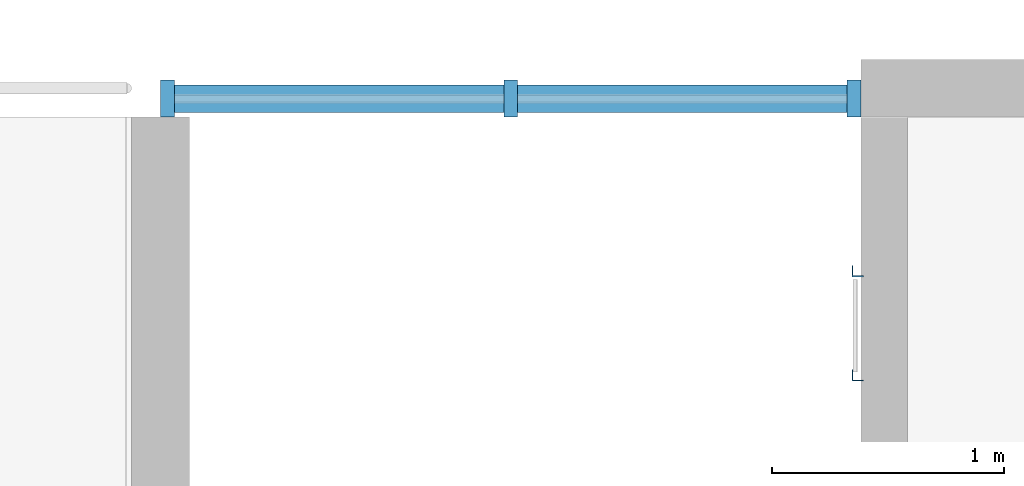
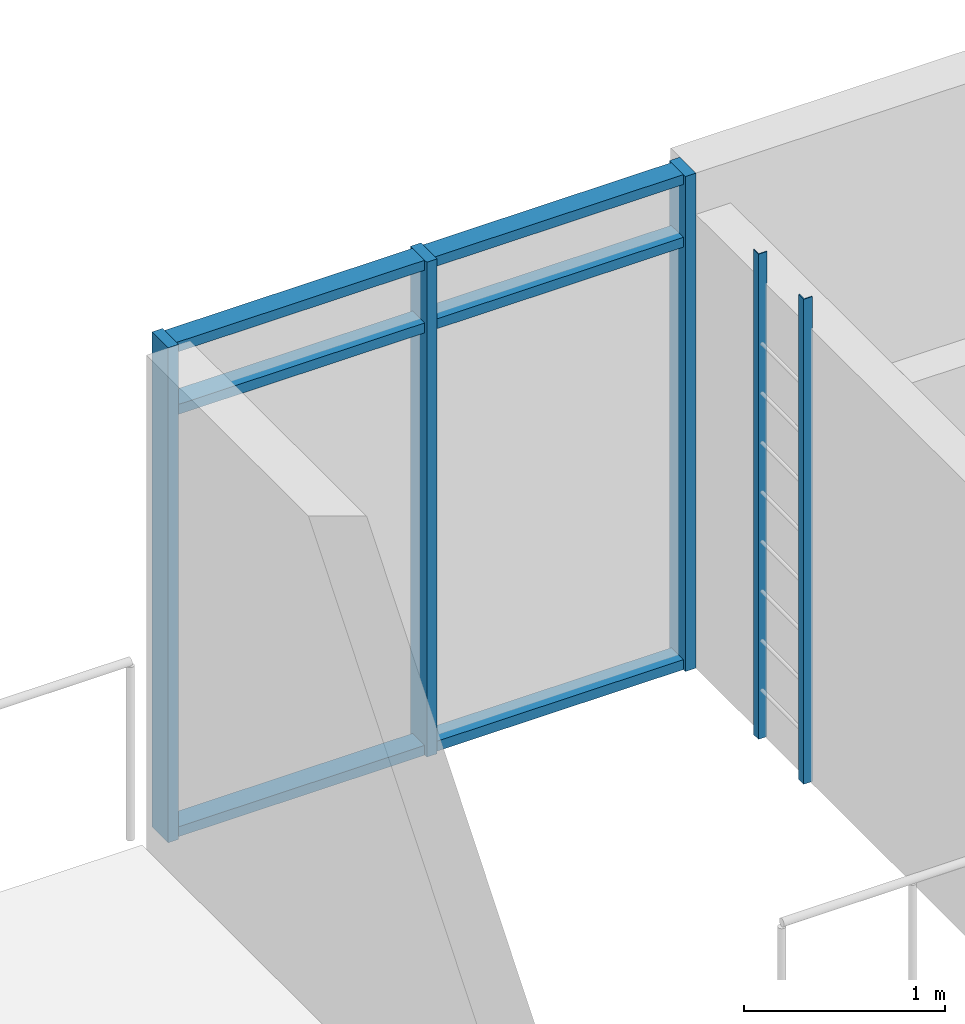
# One storey, part 10 of 33: 11 members, 1 element without a shape of its own.
"""IFC4 building model written with IfcOpenShell, lengths in metres."""

import ifcopenshell
import ifcopenshell.guid

model = None  # the IFC model being written
_history = None  # IfcOwnerHistory: only IFC2X3 demands one
_inside = {}  # id of a spatial element -> (the spatial element, [elements in it])
_under = {}  # id of a project, library or spatial element -> (it, [spatial elements below it])
_declared = {}  # id of a project -> (the project, [libraries it declares])
_typed = {}  # id of a type object -> (the type object, [elements of that type])
_made_of = {}  # id of a material, layer set ... -> (it, [elements and type objects made of it])


def new_model(schema):
    """Start an empty IFC model of exactly this schema.

    Asked for "IFC4X3", IfcOpenShell would pick the latest addendum, in which some entities
    have other attributes; the version numbers below select the first issue.
    IFC2X3 requires an IfcOwnerHistory on every rooted entity: one is made here for all.
    """
    global model, _history
    if schema == "IFC4X3":
        model = ifcopenshell.file(schema_version=(4, 3, 0, 0))
    else:
        model = ifcopenshell.file(schema=schema)
    _inside.clear()
    _under.clear()
    _declared.clear()
    _typed.clear()
    _made_of.clear()
    _history = None
    if model.schema == "IFC2X3":
        org = make("IfcOrganization", Name="unknown")
        user = make(
            "IfcPersonAndOrganization",
            ThePerson=make("IfcPerson", FamilyName="unknown"),
            TheOrganization=org,
        )
        app = make(
            "IfcApplication",
            ApplicationDeveloper=org,
            Version="unknown",
            ApplicationFullName="unknown",
            ApplicationIdentifier="unknown",
        )
        _history = make(
            "IfcOwnerHistory",
            OwningUser=user,
            OwningApplication=app,
            ChangeAction="ADDED",
            CreationDate=0,
        )
    return model


def make(cls, **values):
    """One entity of the class cls with the attributes given. An attribute that is None is left unset."""
    return model.create_entity(
        cls, **{name: value for name, value in values.items() if value is not None}
    )


def rooted(cls, **values):
    """An entity with a GlobalId (a new one), such as an element, a storey or a relation."""
    return make(cls, GlobalId=ifcopenshell.guid.new(), OwnerHistory=_history, **values)


def si_unit(unit_type, name, prefix=None):
    """IfcSIUnit, for example si_unit("LENGTHUNIT", "METRE", prefix="MILLI")."""
    return make("IfcSIUnit", UnitType=unit_type, Prefix=prefix, Name=name)


def assignment(units):
    """IfcUnitAssignment: the units of a project."""
    return None if units is None else make("IfcUnitAssignment", Units=units)


def point(xyz):
    """IfcCartesianPoint."""
    return None if xyz is None else make("IfcCartesianPoint", Coordinates=xyz)


def direction(xyz):
    """IfcDirection."""
    return None if xyz is None else make("IfcDirection", DirectionRatios=xyz)


def frame(location, z_axis=None, x_axis=None):
    """IfcAxis2Placement3D, a coordinate frame: its origin and axes. An axis left out is left unset."""
    return make(
        "IfcAxis2Placement3D",
        Location=point(location),
        Axis=direction(z_axis),
        RefDirection=direction(x_axis),
    )


def frame_2d(location, x_axis=None):
    """IfcAxis2Placement2D, a coordinate frame in the plane: its origin and x axis."""
    return make(
        "IfcAxis2Placement2D", Location=point(location), RefDirection=direction(x_axis)
    )


def origin():
    """The frame at (0, 0, 0) with its axes left unset."""
    return frame((0.0, 0.0, 0.0))


def origin_2d():
    """The frame at (0, 0) in the plane with its x axis left unset."""
    return frame_2d((0.0, 0.0))


def place(relative_to, where):
    """IfcLocalPlacement: puts the frame where relative to a parent placement (None: the world)."""
    return make(
        "IfcLocalPlacement", PlacementRelTo=relative_to, RelativePlacement=where
    )


def context(
    kind, dimensions, precision=None, world=None, true_north=None, identifier=None
):
    """IfcGeometricRepresentationContext, for example the 3D "Model" context."""
    return make(
        "IfcGeometricRepresentationContext",
        ContextIdentifier=identifier,
        ContextType=kind,
        CoordinateSpaceDimension=dimensions,
        Precision=precision,
        WorldCoordinateSystem=world,
        TrueNorth=true_north,
    )


def subcontext(parent, identifier, kind, view, scale=None):
    """IfcGeometricRepresentationSubContext, for example "Body" below "Model"."""
    return make(
        "IfcGeometricRepresentationSubContext",
        ContextIdentifier=identifier,
        ContextType=kind,
        ParentContext=parent,
        TargetScale=scale,
        TargetView=view,
    )


def project(units=None, contexts=None):
    """IfcProject with its units and contexts."""
    return rooted(
        "IfcProject",
        Name="project",
        RepresentationContexts=contexts,
        UnitsInContext=assignment(units),
    )


def spatial(cls, under=None, at=None, **own):
    """A site, building, storey or space (cls), placed at a placement, below another one or the project."""
    s = rooted(cls, ObjectPlacement=at, **own)
    if under is not None:
        _under.setdefault(under.id(), (under, []))[1].append(s)
    return s


def polyline(points):
    """IfcPolyline through the points."""
    return make("IfcPolyline", Points=[point(p) for p in points])


def profile(cls, at=None, kind="AREA", **sizes):
    """A parametric profile (cls). Its sizes go by their IFC names, for example OverallWidth=200.0."""
    return make(cls, ProfileType=kind, Position=at, **sizes)


def rectangle(**sizes):
    """IfcRectangleProfileDef."""
    return profile("IfcRectangleProfileDef", **sizes)


def outline(outer, holes=None, kind="AREA"):
    """IfcArbitraryClosedProfileDef: a profile drawn as a closed curve; with holes, ...WithVoids."""
    if holes is None:
        return make("IfcArbitraryClosedProfileDef", ProfileType=kind, OuterCurve=outer)
    return make(
        "IfcArbitraryProfileDefWithVoids",
        ProfileType=kind,
        OuterCurve=outer,
        InnerCurves=holes,
    )


def extrude(swept, where, along, depth):
    """IfcExtrudedAreaSolid: the profile swept, set in the frame where, extruded along a direction by depth."""
    return make(
        "IfcExtrudedAreaSolid",
        SweptArea=swept,
        Position=where,
        ExtrudedDirection=direction(along),
        Depth=depth,
    )


def shape(context_of_items, identifier, shape_type, items):
    """IfcShapeRepresentation: the items that make up one representation, for example the "Body"."""
    return make(
        "IfcShapeRepresentation",
        ContextOfItems=context_of_items,
        RepresentationIdentifier=identifier,
        RepresentationType=shape_type,
        Items=items,
    )


def material(Name=None, Category=None):
    """IfcMaterial."""
    return make("IfcMaterial", Name=Name, Category=Category)


def material_profile(
    of_material, cross_section, Name=None, Category=None, Priority=None
):
    """IfcMaterialProfile: a cross section and its material."""
    return make(
        "IfcMaterialProfile",
        Name=Name,
        Material=of_material,
        Profile=cross_section,
        Priority=Priority,
        Category=Category,
    )


def profile_set(profiles, Name=None, composite=None):
    """IfcMaterialProfileSet."""
    return make(
        "IfcMaterialProfileSet",
        Name=Name,
        MaterialProfiles=profiles,
        CompositeProfile=composite,
    )


def made_of(thing, what):
    """Note that an element or type object is made of a material, layer set ...; save() writes the relation."""
    if what is not None:
        _made_of.setdefault(what.id(), (what, []))[1].append(thing)
    return thing


def type_object(cls, material=None, **own):
    """A type object (cls), such as IfcWallType, which elements share."""
    return made_of(rooted(cls, **own), material)


def element(
    cls,
    number,
    at=None,
    inside=None,
    cuts=None,
    type_object=None,
    material=None,
    context=None,
    identifier="Body",
    shape_type=None,
    held_by="IfcProductDefinitionShape",
    body=None,
    shapes=None,
    **own,
):
    """One element of the class cls, such as IfcWall. Its Tag is "e" and its number.

    at: its placement. inside: the storey or other place that contains it. cuts: it is an
    opening in that element (IfcRelVoidsElement). A single representation is given by context,
    identifier, shape_type and body (its items); several are given by shapes. held_by: the class
    of the entity that holds the representations. save() writes the other relations.
    """
    e = rooted(cls, Tag="e%d" % number, ObjectPlacement=at, **own)
    if body is not None:
        shapes = [shape(context, identifier, shape_type, body)]
    if shapes is not None:
        e.Representation = make(held_by, Representations=shapes)
    if inside is not None:
        _inside.setdefault(inside.id(), (inside, []))[1].append(e)
    if cuts is not None:
        rooted(
            "IfcRelVoidsElement", RelatingBuildingElement=cuts, RelatedOpeningElement=e
        )
    if type_object is not None:
        _typed.setdefault(type_object.id(), (type_object, []))[1].append(e)
    return made_of(e, material)


def aggregate(whole, parts):
    """IfcRelAggregates: a whole, such as a stair, and the parts it consists of."""
    return rooted("IfcRelAggregates", RelatingObject=whole, RelatedObjects=parts)


def save(model, path):
    """Write the relations noted so far, then the file.

    IfcRelAggregates (storeys below a building ...), IfcRelContainedInSpatialStructure (elements
    in a storey), IfcRelDefinesByType, IfcRelAssociatesMaterial and IfcRelDeclares: one each for
    every whole, place, type object, material and project.
    """
    for whole, parts in _under.values():
        aggregate(whole, parts)
    for where, things in _inside.values():
        rooted(
            "IfcRelContainedInSpatialStructure",
            RelatedElements=things,
            RelatingStructure=where,
        )
    for kind, things in _typed.values():
        rooted("IfcRelDefinesByType", RelatedObjects=things, RelatingType=kind)
    for what, things in _made_of.values():
        rooted("IfcRelAssociatesMaterial", RelatedObjects=things, RelatingMaterial=what)
    for by, libraries in _declared.values():
        rooted("IfcRelDeclares", RelatingContext=by, RelatedDefinitions=libraries)
    model.write(path)


model = new_model("IFC4")

# Units and contexts
model_context = context("Model", 3, precision=1e-05, world=origin(), true_north=direction((0.0, 1.0)))
body_context = subcontext(model_context, "Body", "Model", "MODEL_VIEW")
ifc_project = project(units=[si_unit("LENGTHUNIT", "METRE"), si_unit("AREAUNIT", "SQUARE_METRE"), si_unit("VOLUMEUNIT", "CUBIC_METRE"), si_unit("PLANEANGLEUNIT", "RADIAN"), si_unit("MASSUNIT", "GRAM", prefix="KILO")], contexts=[model_context])

# Site, building, storey
site_placement = place(None, origin())
site = spatial("IfcSite", under=ifc_project, at=site_placement, CompositionType="ELEMENT")
building_placement = place(site_placement, origin())
building = spatial("IfcBuilding", under=site, at=building_placement, Name="Ridgestep Commons", CompositionType="ELEMENT")
storey_placement = place(building_placement, frame((0.0, 0.0, 42.0)))
storey = spatial("IfcBuildingStorey", under=building, at=storey_placement, Name="L14", CompositionType="ELEMENT", Elevation=42.0)

# Members
ifc_material_1 = material(Name="Structural steel S355JR", Category="steel")
ifc_material_profile_1 = material_profile(ifc_material_1, outline(polyline([(-0.014404296875, -0.014404296875), (0.03564453125, -0.014404296875), (0.03564453125, -0.00927734375), (-0.00927734375, -0.00927734375), (-0.00927734375, 0.03564453125), (-0.014404296875, 0.03564453125), (-0.014404296875, -0.014404296875)])), Name="EA 50x50x5")
ifc_profile_set_1 = profile_set([ifc_material_profile_1], Name="Structural steel S355JR")
member_type_1 = type_object("IfcMemberType", Name="Core ladder stile EA 50x50x5", PredefinedType="STRINGER", material=ifc_profile_set_1)
for number, where, z_axis, x_axis, name in (
    (1, (194.199951171875, 21.625, 0.0), (0.0, 0.0, 1.0), (1.0, 0.0, 0.0), "Ladder stile D3C.1"),
    (2, (194.199951171875, 22.074951171875, 0.0), (0.0, 0.0, 1.0), (1.0, 0.0, 0.0), "Ladder stile D3C.2"),
):
    element("IfcMember", number, at=place(storey_placement, frame(where, z_axis=z_axis, x_axis=x_axis)), inside=storey, type_object=member_type_1, Name=name, PredefinedType="STRINGER", context=body_context, shape_type="SweptSolid", body=[
        extrude(outline(polyline([(-0.014404296875, -0.014404296875), (0.03564453125, -0.014404296875), (0.03564453125, -0.00927734375), (-0.00927734375, -0.00927734375), (-0.00927734375, 0.03564453125), (-0.014404296875, 0.03564453125), (-0.014404296875, -0.014404296875)])), origin(), (0.0, 0.0, 1.0), 2.93994140625),
    ])

# Curtain wall, members
ifc_material_2 = material(Name="Aluminium 6063-T6 and glass", Category="aluminium")
curtain_wall_type = type_object("IfcCurtainWallType", Name="Curtain wall stair strip", PredefinedType="NOTDEFINED", material=ifc_material_2)
curtain_wall_placement = place(storey_placement, origin())
curtain_wall = element("IfcCurtainWall", 3, at=curtain_wall_placement, inside=storey, type_object=curtain_wall_type, Name="Curtain wall D3C level 14", PredefinedType="NOTDEFINED")
ifc_material_3 = material(Name="Aluminium 6063-T6", Category="aluminium")
ifc_material_profile_2 = material_profile(ifc_material_3, rectangle(XDim=0.159912109375, YDim=0.06005859375, at=origin_2d()), Name="Mullion 60 x 160")
ifc_profile_set_2 = profile_set([ifc_material_profile_2], Name="Aluminium 6063-T6")
member_type_2 = type_object("IfcMemberType", Name="Mullion 60 x 160", PredefinedType="MULLION", material=ifc_profile_set_2)
member_1_placement = place(storey_placement, frame((191.22998046875, 22.830078125, 0.0), z_axis=(0.0, 0.0, 1.0), x_axis=(0.0, 1.0, 0.0)))
member_1 = element("IfcMember", 4, at=member_1_placement, type_object=member_type_2, Name="CW1 mullion 1", PredefinedType="MULLION", context=body_context, shape_type="SweptSolid", body=[
    extrude(rectangle(XDim=0.159912109375, YDim=0.06005859375, at=origin_2d()), origin(), (0.0, 0.0, 1.0), 3.0),
])
member_2_placement = place(storey_placement, frame((192.71240234375, 22.830078125, 0.0), z_axis=(0.0, 0.0, 1.0), x_axis=(0.0, 1.0, 0.0)))
member_2 = element("IfcMember", 5, at=member_2_placement, type_object=member_type_2, Name="CW1 mullion 2", PredefinedType="MULLION", context=body_context, shape_type="SweptSolid", body=[
    extrude(rectangle(XDim=0.159912109375, YDim=0.06005859375, at=origin_2d()), origin(), (0.0, 0.0, 1.0), 3.0),
])
member_3_placement = place(storey_placement, frame((194.195068359375, 22.830078125, 0.0), z_axis=(0.0, 0.0, 1.0), x_axis=(0.0, 1.0, 0.0)))
member_3 = element("IfcMember", 6, at=member_3_placement, type_object=member_type_2, Name="CW1 mullion 3", PredefinedType="MULLION", context=body_context, shape_type="SweptSolid", body=[
    extrude(rectangle(XDim=0.159912109375, YDim=0.06005859375, at=origin_2d()), origin(), (0.0, 0.0, 1.0), 3.0),
])
ifc_material_4 = material(Name="Aluminium 6063-T6", Category="aluminium")
ifc_material_profile_3 = material_profile(ifc_material_4, rectangle(XDim=0.1201171875, YDim=0.06005859375, at=origin_2d()), Name="Transom 60 x 120")
ifc_profile_set_3 = profile_set([ifc_material_profile_3], Name="Aluminium 6063-T6")
member_type_3 = type_object("IfcMemberType", Name="Transom 60 x 120", PredefinedType="USERDEFINED", material=ifc_profile_set_3)
member_4_placement = place(storey_placement, frame((191.260009765625, 22.830078125, 0.030029296875), z_axis=(1.0, 0.0, 0.0), x_axis=(0.0, 1.0, 0.0)))
member_4 = element("IfcMember", 7, at=member_4_placement, type_object=member_type_3, Name="CW1 transom 1.1", ObjectType="TRANSOM", PredefinedType="USERDEFINED", context=body_context, shape_type="SweptSolid", body=[
    extrude(rectangle(XDim=0.1201171875, YDim=0.06005859375, at=origin_2d()), origin(), (0.0, 0.0, 1.0), 1.422607421875),
])
member_5_placement = place(storey_placement, frame((191.260009765625, 22.830078125, 2.590087890625), z_axis=(1.0, 0.0, 0.0), x_axis=(0.0, 1.0, 0.0)))
member_5 = element("IfcMember", 8, at=member_5_placement, type_object=member_type_3, Name="CW1 transom 1.2", ObjectType="TRANSOM", PredefinedType="USERDEFINED", context=body_context, shape_type="SweptSolid", body=[
    extrude(rectangle(XDim=0.1201171875, YDim=0.06005859375, at=origin_2d()), origin(), (0.0, 0.0, 1.0), 1.422607421875),
])
member_6_placement = place(storey_placement, frame((191.260009765625, 22.830078125, 2.969970703125), z_axis=(1.0, 0.0, 0.0), x_axis=(0.0, 1.0, 0.0)))
member_6 = element("IfcMember", 9, at=member_6_placement, type_object=member_type_3, Name="CW1 transom 1.3", ObjectType="TRANSOM", PredefinedType="USERDEFINED", context=body_context, shape_type="SweptSolid", body=[
    extrude(rectangle(XDim=0.1201171875, YDim=0.06005859375, at=origin_2d()), origin(), (0.0, 0.0, 1.0), 1.422607421875),
])
member_7_placement = place(storey_placement, frame((192.742431640625, 22.830078125, 0.030029296875), z_axis=(1.0, 0.0, 0.0), x_axis=(0.0, 1.0, 0.0)))
member_7 = element("IfcMember", 10, at=member_7_placement, type_object=member_type_3, Name="CW1 transom 2.1", ObjectType="TRANSOM", PredefinedType="USERDEFINED", context=body_context, shape_type="SweptSolid", body=[
    extrude(rectangle(XDim=0.1201171875, YDim=0.06005859375, at=origin_2d()), origin(), (0.0, 0.0, 1.0), 1.422607421875),
])
member_8_placement = place(storey_placement, frame((192.742431640625, 22.830078125, 2.590087890625), z_axis=(1.0, 0.0, 0.0), x_axis=(0.0, 1.0, 0.0)))
member_8 = element("IfcMember", 11, at=member_8_placement, type_object=member_type_3, Name="CW1 transom 2.2", ObjectType="TRANSOM", PredefinedType="USERDEFINED", context=body_context, shape_type="SweptSolid", body=[
    extrude(rectangle(XDim=0.1201171875, YDim=0.06005859375, at=origin_2d()), origin(), (0.0, 0.0, 1.0), 1.422607421875),
])
member_9_placement = place(storey_placement, frame((192.742431640625, 22.830078125, 2.969970703125), z_axis=(1.0, 0.0, 0.0), x_axis=(0.0, 1.0, 0.0)))
member_9 = element("IfcMember", 12, at=member_9_placement, type_object=member_type_3, Name="CW1 transom 2.3", ObjectType="TRANSOM", PredefinedType="USERDEFINED", context=body_context, shape_type="SweptSolid", body=[
    extrude(rectangle(XDim=0.1201171875, YDim=0.06005859375, at=origin_2d()), origin(), (0.0, 0.0, 1.0), 1.422607421875),
])
aggregate(curtain_wall, [member_1, member_2, member_3, member_4, member_5, member_6, member_7, member_8, member_9])

save(model, "model.ifc")
